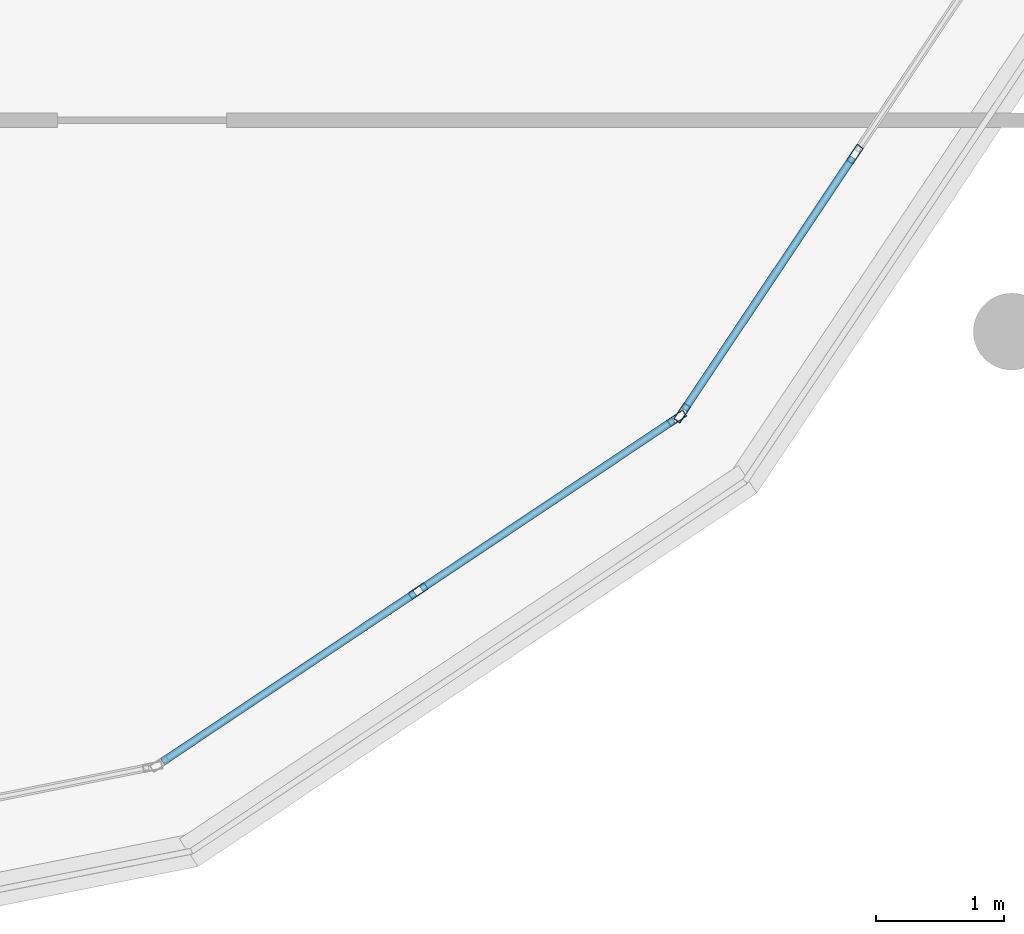
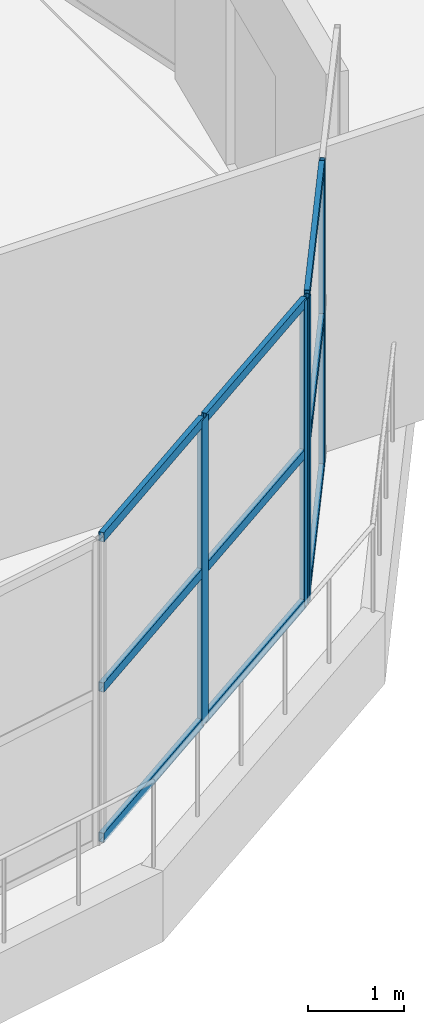
# One storey, part 20 of 44: 13 members, 2 elements without a shape of their own.
"""IFC4 building model written with IfcOpenShell, lengths in metres."""

from ifc_helpers import new_model, si_unit, direction, frame, origin, origin_2d, place, context, subcontext, project, spatial, hollow_rectangle, extrude, material, layer, layer_set, material_profile, profile_set, type_object, element, aggregate, save


model = new_model("IFC4")

# Units and contexts
model_context = context("Model", 3, precision=1e-05, world=origin(), true_north=direction((0.0, 1.0)))
body_context = subcontext(model_context, "Body", "Model", "MODEL_VIEW")
ifc_project = project(units=[si_unit("LENGTHUNIT", "METRE"), si_unit("AREAUNIT", "SQUARE_METRE"), si_unit("VOLUMEUNIT", "CUBIC_METRE"), si_unit("PLANEANGLEUNIT", "RADIAN"), si_unit("MASSUNIT", "GRAM", prefix="KILO")], contexts=[model_context])

# Site, building, storey
site_placement = place(None, origin())
site = spatial("IfcSite", under=ifc_project, at=site_placement, CompositionType="ELEMENT")
building_placement = place(site_placement, origin())
building = spatial("IfcBuilding", under=site, at=building_placement, Name="Zizhar Promenade General Hospital", CompositionType="ELEMENT")
storey_placement = place(building_placement, frame((0.0, 0.0, 34.800048828125)))
storey = spatial("IfcBuildingStorey", under=building, at=storey_placement, Name="L08", CompositionType="ELEMENT", Elevation=34.800048828125)

# Curtain wall, members
ifc_material_1 = material(Name="Anodised aluminium 6063-T6 and low-E glass", Category="aluminium")
ifc_layer = layer(ifc_material_1, 0.159912109375)
ifc_layer_set = layer_set([ifc_layer], Name="Anodised aluminium 6063-T6 and low-E glass")
curtain_wall_type = type_object("IfcCurtainWallType", Name="CW-WARD-ARC", PredefinedType="NOTDEFINED", material=ifc_layer_set)
curtain_wall_1_placement = place(storey_placement, origin())
curtain_wall_1 = element("IfcCurtainWall", 1, at=curtain_wall_1_placement, inside=storey, type_object=curtain_wall_type, Name="Ward Semicircular End Glazing L08-02", PredefinedType="NOTDEFINED")
ifc_material_2 = material(Name="Anodised aluminium 6063-T6", Category="aluminium")
ifc_material_profile_1 = material_profile(ifc_material_2, hollow_rectangle(XDim=0.06005859375, YDim=0.14990234375, WallThickness=0.00390625, at=origin_2d()))
ifc_profile_set_1 = profile_set([ifc_material_profile_1], Name="Anodised aluminium 6063-T6")
member_type_1 = type_object("IfcMemberType", Name="CWM-ALU-150x60", PredefinedType="MULLION", material=ifc_profile_set_1)
member_1_placement = place(storey_placement, frame((107.28466796875, 3.673828125, 0.0), z_axis=(0.0, 0.0, 1.0), x_axis=(0.555582352095, -0.831461514468, 0.0)))
member_1 = element("IfcMember", 2, at=member_1_placement, type_object=member_type_1, Name="CW-12 mullion 1", PredefinedType="MULLION", context=body_context, shape_type="SweptSolid", body=[
    extrude(hollow_rectangle(XDim=0.06005859375, YDim=0.14990234375, WallThickness=0.00390625, at=origin_2d()), origin(), (0.0, 0.0, 1.0), 3.89990234375),
])
member_2_placement = place(storey_placement, frame((105.265625, 2.32470703125, 0.0), z_axis=(0.0, 0.0, 1.0), x_axis=(0.555582352095, -0.831461514468, 0.0)))
member_2 = element("IfcMember", 3, at=member_2_placement, type_object=member_type_1, Name="CW-12 mullion 2", PredefinedType="MULLION", context=body_context, shape_type="SweptSolid", body=[
    extrude(hollow_rectangle(XDim=0.06005859375, YDim=0.14990234375, WallThickness=0.00390625, at=origin_2d()), origin(), (0.0, 0.0, 1.0), 3.89990234375),
])

curtain_wall_2_placement = place(storey_placement, origin())
curtain_wall_2 = element("IfcCurtainWall", 4, at=curtain_wall_2_placement, inside=storey, type_object=curtain_wall_type, Name="Ward Semicircular End Glazing L08-03", PredefinedType="NOTDEFINED")
member_3_placement = place(storey_placement, frame((108.67529296875, 5.734375, 0.0), z_axis=(0.0, 0.0, 1.0), x_axis=(0.831461514468, -0.555582352095, 0.0)))
member_3 = element("IfcMember", 5, at=member_3_placement, type_object=member_type_1, Name="CW-12 mullion 2", PredefinedType="MULLION", context=body_context, shape_type="SweptSolid", body=[
    extrude(hollow_rectangle(XDim=0.06005859375, YDim=0.14990234375, WallThickness=0.00390625, at=origin_2d()), origin(), (0.0, 0.0, 1.0), 3.89990234375),
])
member_4_placement = place(storey_placement, frame((107.326171875, 3.71533203125, 0.0), z_axis=(0.0, 0.0, 1.0), x_axis=(0.831461514468, -0.555582352095, 0.0)))
member_4 = element("IfcMember", 6, at=member_4_placement, type_object=member_type_1, Name="CW-12 mullion 3", PredefinedType="MULLION", context=body_context, shape_type="SweptSolid", body=[
    extrude(hollow_rectangle(XDim=0.06005859375, YDim=0.14990234375, WallThickness=0.00390625, at=origin_2d()), origin(), (0.0, 0.0, 1.0), 3.89990234375),
])

# Member
ifc_material_3 = material(Name="Anodised aluminium 6063-T6", Category="aluminium")
ifc_material_profile_2 = material_profile(ifc_material_3, hollow_rectangle(XDim=0.06005859375, YDim=0.1201171875, WallThickness=0.00390625, at=origin_2d()))
ifc_profile_set_2 = profile_set([ifc_material_profile_2], Name="Anodised aluminium 6063-T6")
member_type_2 = type_object("IfcMemberType", Name="CWT-ALU-120x60", PredefinedType="USERDEFINED", material=ifc_profile_set_2)
member_5_placement = place(storey_placement, frame((107.259521484375, 3.6572265625, 0.030029296875), z_axis=(-0.831462978956, -0.555580160396, 0.0), x_axis=(0.555580160396, -0.831462978956, 0.0)))
member_5 = element("IfcMember", 7, at=member_5_placement, type_object=member_type_2, Name="CW-12 transom 1.1", ObjectType="TRANSOM", PredefinedType="USERDEFINED", context=body_context, shape_type="SweptSolid", body=[
    extrude(hollow_rectangle(XDim=0.06005859375, YDim=0.1201171875, WallThickness=0.00390625, at=origin_2d()), origin(), (0.0, 0.0, 1.0), 2.3681640625),
])

member_6_placement = place(storey_placement, frame((107.259521484375, 3.6572265625, 1.949951171875), z_axis=(-0.831462978956, -0.555580160396, 0.0), x_axis=(0.555580160396, -0.831462978956, 0.0)))
member_6 = element("IfcMember", 8, at=member_6_placement, type_object=member_type_2, Name="CW-12 transom 1.2", ObjectType="TRANSOM", PredefinedType="USERDEFINED", context=body_context, shape_type="SweptSolid", body=[
    extrude(hollow_rectangle(XDim=0.06005859375, YDim=0.1201171875, WallThickness=0.00390625, at=origin_2d()), origin(), (0.0, 0.0, 1.0), 2.3681640625),
])

member_7_placement = place(storey_placement, frame((107.259521484375, 3.6572265625, 3.869873046875), z_axis=(-0.831462978956, -0.555580160396, 0.0), x_axis=(0.555580160396, -0.831462978956, 0.0)))
member_7 = element("IfcMember", 9, at=member_7_placement, type_object=member_type_2, Name="CW-12 transom 1.3", ObjectType="TRANSOM", PredefinedType="USERDEFINED", context=body_context, shape_type="SweptSolid", body=[
    extrude(hollow_rectangle(XDim=0.06005859375, YDim=0.1201171875, WallThickness=0.00390625, at=origin_2d()), origin(), (0.0, 0.0, 1.0), 2.3681640625),
])

member_8_placement = place(storey_placement, frame((105.24072265625, 2.30810546875, 0.030029296875), z_axis=(-0.831462978956, -0.555580160396, 0.0), x_axis=(0.555580160396, -0.831462978956, 0.0)))
member_8 = element("IfcMember", 10, at=member_8_placement, type_object=member_type_2, Name="CW-12 transom 2.1", ObjectType="TRANSOM", PredefinedType="USERDEFINED", context=body_context, shape_type="SweptSolid", body=[
    extrude(hollow_rectangle(XDim=0.06005859375, YDim=0.1201171875, WallThickness=0.00390625, at=origin_2d()), origin(), (0.0, 0.0, 1.0), 2.3681640625),
])

member_9_placement = place(storey_placement, frame((105.24072265625, 2.30810546875, 1.949951171875), z_axis=(-0.831462978956, -0.555580160396, 0.0), x_axis=(0.555580160396, -0.831462978956, 0.0)))
member_9 = element("IfcMember", 11, at=member_9_placement, type_object=member_type_2, Name="CW-12 transom 2.2", ObjectType="TRANSOM", PredefinedType="USERDEFINED", context=body_context, shape_type="SweptSolid", body=[
    extrude(hollow_rectangle(XDim=0.06005859375, YDim=0.1201171875, WallThickness=0.00390625, at=origin_2d()), origin(), (0.0, 0.0, 1.0), 2.3681640625),
])

member_10_placement = place(storey_placement, frame((105.24072265625, 2.30810546875, 3.869873046875), z_axis=(-0.831462978956, -0.555580160396, 0.0), x_axis=(0.555580160396, -0.831462978956, 0.0)))
member_10 = element("IfcMember", 12, at=member_10_placement, type_object=member_type_2, Name="CW-12 transom 2.3", ObjectType="TRANSOM", PredefinedType="USERDEFINED", context=body_context, shape_type="SweptSolid", body=[
    extrude(hollow_rectangle(XDim=0.06005859375, YDim=0.1201171875, WallThickness=0.00390625, at=origin_2d()), origin(), (0.0, 0.0, 1.0), 2.3681640625),
])

aggregate(curtain_wall_1, [member_1, member_2, member_5, member_6, member_7, member_8, member_9, member_10])

member_11_placement = place(storey_placement, frame((108.658447265625, 5.70947265625, 0.030029296875), z_axis=(-0.555580160396, -0.831462978956, 0.0), x_axis=(0.831462978956, -0.555580160396, 0.0)))
member_11 = element("IfcMember", 13, at=member_11_placement, type_object=member_type_2, Name="CW-12 transom 2.1", ObjectType="TRANSOM", PredefinedType="USERDEFINED", context=body_context, shape_type="SweptSolid", body=[
    extrude(hollow_rectangle(XDim=0.06005859375, YDim=0.1201171875, WallThickness=0.00390625, at=origin_2d()), origin(), (0.0, 0.0, 1.0), 2.3681640625),
])

member_12_placement = place(storey_placement, frame((108.658447265625, 5.70947265625, 1.949951171875), z_axis=(-0.555580160396, -0.831462978956, 0.0), x_axis=(0.831462978956, -0.555580160396, 0.0)))
member_12 = element("IfcMember", 14, at=member_12_placement, type_object=member_type_2, Name="CW-12 transom 2.2", ObjectType="TRANSOM", PredefinedType="USERDEFINED", context=body_context, shape_type="SweptSolid", body=[
    extrude(hollow_rectangle(XDim=0.06005859375, YDim=0.1201171875, WallThickness=0.00390625, at=origin_2d()), origin(), (0.0, 0.0, 1.0), 2.3681640625),
])

member_13_placement = place(storey_placement, frame((108.658447265625, 5.70947265625, 3.869873046875), z_axis=(-0.555580160396, -0.831462978956, 0.0), x_axis=(0.831462978956, -0.555580160396, 0.0)))
member_13 = element("IfcMember", 15, at=member_13_placement, type_object=member_type_2, Name="CW-12 transom 2.3", ObjectType="TRANSOM", PredefinedType="USERDEFINED", context=body_context, shape_type="SweptSolid", body=[
    extrude(hollow_rectangle(XDim=0.06005859375, YDim=0.1201171875, WallThickness=0.00390625, at=origin_2d()), origin(), (0.0, 0.0, 1.0), 2.3681640625),
])

aggregate(curtain_wall_2, [member_3, member_4, member_11, member_12, member_13])

save(model, "model.ifc")
